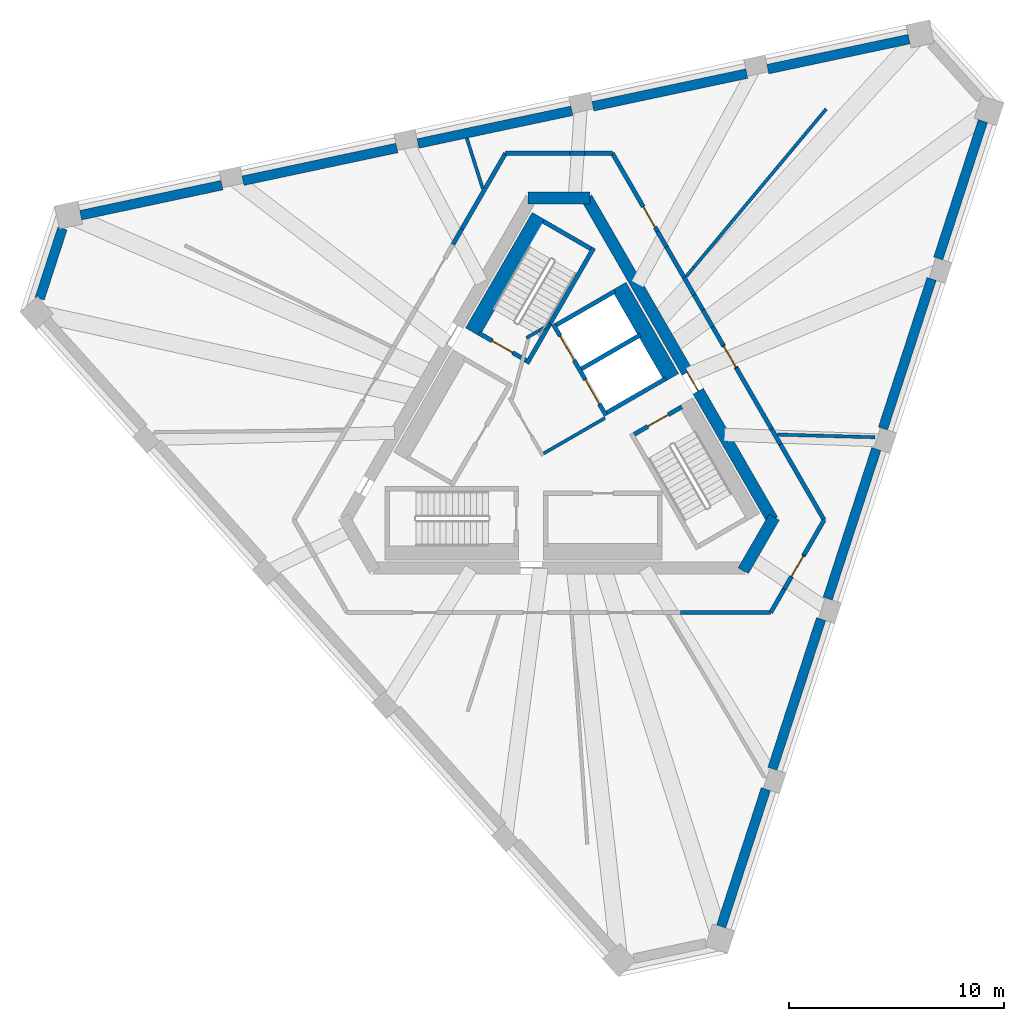
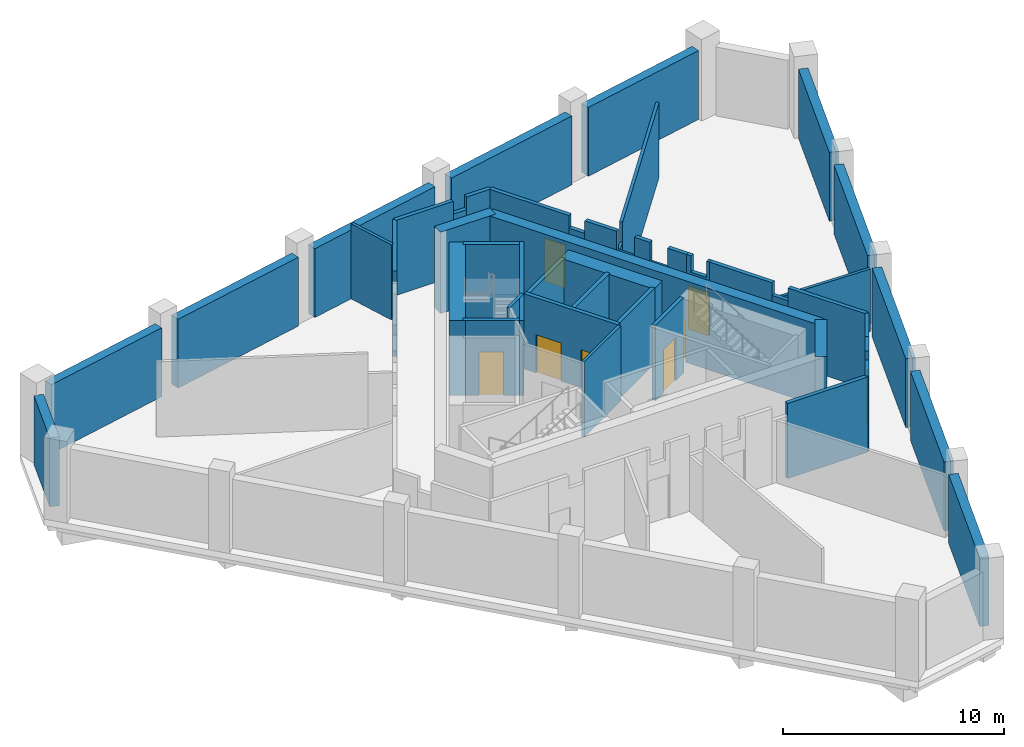
# One storey, part 3 of 5: 50 walls, 8 doors, 8 openings.
"""IFC4 building model written with IfcOpenShell, lengths in metres."""

from ifc_helpers import new_model, si_unit, direction, frame, frame_2d, origin, place, context, subcontext, project, spatial, polyline, rectangle, outline, extrude, material, layer, layer_set, type_object, element, fill, save


model = new_model("IFC4")

# Units and contexts
model_context = context("Model", 3, precision=1e-05, world=origin(), true_north=direction((0.0, 1.0)))
body_context = subcontext(model_context, "Body", "Model", "MODEL_VIEW")
ifc_project = project(units=[si_unit("LENGTHUNIT", "METRE"), si_unit("AREAUNIT", "SQUARE_METRE"), si_unit("VOLUMEUNIT", "CUBIC_METRE"), si_unit("PLANEANGLEUNIT", "RADIAN"), si_unit("MASSUNIT", "GRAM", prefix="KILO")], contexts=[model_context])

# Site, building, storey
site_placement = place(None, origin())
site = spatial("IfcSite", under=ifc_project, at=site_placement, CompositionType="ELEMENT")
building_placement = place(site_placement, origin())
building = spatial("IfcBuilding", under=site, at=building_placement, Name="Tramontana Tower", CompositionType="ELEMENT")
storey_placement = place(building_placement, frame((0.0, 0.0, 361.39990234375)))
storey = spatial("IfcBuildingStorey", under=building, at=storey_placement, Name="L83", CompositionType="ELEMENT", Elevation=361.39990234375)

# Walls
ifc_material_1 = material(Name="Concrete 70 MPa", Category="concrete")
ifc_layer_1 = layer(ifc_material_1, 0.550048828125)
ifc_layer_set_1 = layer_set([ifc_layer_1], Name="Core wall 550 70 MPa")
wall_type_1 = type_object("IfcWallType", Name="Core wall 550 70 MPa", PredefinedType="SHEAR", material=ifc_layer_set_1)
for number, where, z_axis, x_axis, name in (
    (1, (1.443359375, 10.72509765625, 0.0), (0.0, 0.0, 1.0), (-1.0, 0.0, 0.0), "Core wall C0 L83"),
    (2, (8.56640625, -6.612548828125, 0.0), (0.0, 0.0, 1.0), (0.499995765644, 0.866027848477, 0.0), "Core wall C4 L83"),
):
    element("IfcWall", number, at=place(storey_placement, frame(where, z_axis=z_axis, x_axis=x_axis)), inside=storey, type_object=wall_type_1, Name=name, PredefinedType="SHEAR", context=body_context, shape_type="SweptSolid", body=[
        extrude(rectangle(XDim=2.88671875, YDim=0.550048828125, at=frame_2d((1.443359375, 0.0))), origin(), (0.0, 0.0, 1.0), 4.5),
    ])

# Wall, opening, door
wall_1_placement = place(storey_placement, frame((9.930419921875, -4.25, 0.0), z_axis=(0.0, 0.0, 1.0), x_axis=(-0.499994590896, 0.86602852671, 0.0)))
wall_1 = element("IfcWall", 3, at=wall_1_placement, inside=storey, type_object=wall_type_1, Name="Core wall C5 L83", PredefinedType="SHEAR", context=body_context, shape_type="SweptSolid", body=[
    extrude(rectangle(XDim=17.291748046875, YDim=0.550048828125, at=frame_2d((8.64599609375, 0.0))), origin(), (0.0, 0.0, 1.0), 4.5),
])
opening_1_placement = place(wall_1_placement, frame((6.9208984375, 0.0, 0.0)))
opening_1 = element("IfcOpeningElement", 4, at=opening_1_placement, cuts=wall_1, Name="Opening RG3", PredefinedType="OPENING", context=body_context, shape_type="SweptSolid", body=[
    extrude(rectangle(XDim=1.0, YDim=2.39990234375, at=frame_2d((0.5, 1.199951171875))), frame((0.0, 0.284912109375, 0.0), z_axis=(0.0, -1.0, 0.0), x_axis=(1.0, 0.0, 0.0)), (0.0, 0.0, 1.0), 0.570068359375),
])
ifc_material_2 = material(Name="Painted steel", Category="steel")
door_type_1 = type_object("IfcDoorType", Name="RING DOOR 1000", OperationType="SINGLE_SWING_LEFT", PredefinedType="DOOR", material=ifc_material_2)
door_1_placement = place(opening_1_placement, origin())
door_1 = element("IfcDoor", 5, at=door_1_placement, inside=storey, type_object=door_type_1, Name="Door RG3", OperationType="SINGLE_SWING_RIGHT", OverallHeight=2.39990234375, OverallWidth=1.0, PredefinedType="DOOR", context=body_context, shape_type="SweptSolid", body=[
    extrude(rectangle(XDim=1.0, YDim=2.39990234375, at=frame_2d((0.5, 1.199951171875))), frame((0.0, 0.02490234375, 0.0), z_axis=(0.0, -1.0, 0.0), x_axis=(1.0, 0.0, 0.0)), (0.0, 0.0, 1.0), 0.050048828125),
])
fill(opening_1, door_1)

# Wall
ifc_material_3 = material(Name="Blockwork", Category="masonry")
ifc_layer_2 = layer(ifc_material_3, 0.199951171875)
ifc_layer_set_2 = layer_set([ifc_layer_2], Name="ENTRY WALL 200")
wall_type_2 = type_object("IfcWallType", Name="ENTRY WALL 200", PredefinedType="SOLIDWALL", material=ifc_layer_set_2)
wall_2_placement = place(storey_placement, frame((12.326416015625, -4.25, 0.0), z_axis=(0.0, 0.0, 1.0), x_axis=(-0.500044242988, -0.865999858577, 0.0)))
element("IfcWall", 6, at=wall_2_placement, inside=storey, type_object=wall_type_2, Name="Wall ew0-0", PredefinedType="SOLIDWALL", context=body_context, shape_type="SweptSolid", body=[
    extrude(rectangle(XDim=1.882568359375, YDim=0.199951171875, at=frame_2d((0.94140625, 0.0))), origin(), (0.0, 0.0, 1.0), 4.150146484375),
])

# Wall, opening, door
wall_3_placement = place(storey_placement, frame((11.385009765625, -5.88037109375, 0.0), z_axis=(0.0, 0.0, 1.0), x_axis=(-0.500016339278, -0.866015970092, 0.0)))
wall_3 = element("IfcWall", 7, at=wall_3_placement, inside=storey, type_object=wall_type_2, Name="Wall ew0-1", PredefinedType="SOLIDWALL", context=body_context, shape_type="SweptSolid", body=[
    extrude(outline(polyline([(0.0, 0.0), (1.82177734375, 0.0), (1.82177734375, 3.4501953125), (1.1201171875, 3.4501953125), (1.1201171875, 4.150146484375), (0.0, 4.150146484375), (0.0, 0.0)])), frame((0.0, 0.10009765625, 0.0), z_axis=(0.0, -1.0, 0.0), x_axis=(1.0, 0.0, 0.0)), (0.0, 0.0, 1.0), 0.199951171875),
])
opening_2_placement = place(wall_3_placement, frame((0.050048828125, 0.0, 0.0)))
opening_2 = element("IfcOpeningElement", 8, at=opening_2_placement, cuts=wall_3, Name="Opening L83-08", PredefinedType="OPENING", context=body_context, shape_type="SweptSolid", body=[
    extrude(rectangle(XDim=1.10009765625, YDim=2.39990234375, at=frame_2d((0.550048828125, 1.199951171875))), frame((0.0, 0.10986328125, 0.0), z_axis=(0.0, -1.0, 0.0), x_axis=(1.0, 0.0, 0.0)), (0.0, 0.0, 1.0), 0.219970703125),
])
ifc_material_4 = material(Name="Painted timber", Category="wood")
door_type_2 = type_object("IfcDoorType", Name="DOOR ENTRY 1100", OperationType="SINGLE_SWING_LEFT", PredefinedType="DOOR", material=ifc_material_4)
door_2_placement = place(opening_2_placement, origin())
door_2 = element("IfcDoor", 9, at=door_2_placement, inside=storey, type_object=door_type_2, Name="Door L83-08", OperationType="SINGLE_SWING_LEFT", OverallHeight=2.39990234375, OverallWidth=1.10009765625, PredefinedType="DOOR", context=body_context, shape_type="SweptSolid", body=[
    extrude(rectangle(XDim=1.10009765625, YDim=2.39990234375, at=frame_2d((0.550048828125, 1.199951171875))), frame((0.0, 0.02490234375, 0.0), z_axis=(0.0, -1.0, 0.0), x_axis=(1.0, 0.0, 0.0)), (0.0, 0.0, 1.0), 0.050048828125),
])
fill(opening_2, door_2)

# Walls
wall_4_placement = place(storey_placement, frame((10.47412109375, -7.4580078125, 0.0), z_axis=(0.0, 0.0, 1.0), x_axis=(-0.499929168788, -0.866066294342, 0.0)))
element("IfcWall", 10, at=wall_4_placement, inside=storey, type_object=wall_type_2, Name="Wall ew0-2", PredefinedType="SOLIDWALL", context=body_context, shape_type="SweptSolid", body=[
    extrude(rectangle(XDim=1.260986328125, YDim=0.199951171875, at=frame_2d((0.63037109375, 0.0))), origin(), (0.0, 0.0, 1.0), 4.150146484375),
])
wall_5_placement = place(storey_placement, frame((9.84375, -8.550048828125, 0.0), z_axis=(0.0, 0.0, 1.0), x_axis=(-1.0, 0.0, 0.0)))
element("IfcWall", 11, at=wall_5_placement, inside=storey, type_object=wall_type_2, Name="Wall ew1-0", PredefinedType="SOLIDWALL", context=body_context, shape_type="SweptSolid", body=[
    extrude(rectangle(XDim=4.1943359375, YDim=0.199951171875, at=frame_2d((2.09716796875, 0.0))), origin(), (0.0, 0.0, 1.0), 4.150146484375),
])
wall_6_placement = place(storey_placement, frame((-4.9287109375, 8.563232421875, 0.0), z_axis=(0.0, 0.0, 1.0), x_axis=(0.500046299512, 0.865998671098, 0.0)))
element("IfcWall", 12, at=wall_6_placement, inside=storey, type_object=wall_type_2, Name="Wall ew3-9", PredefinedType="SOLIDWALL", context=body_context, shape_type="SweptSolid", body=[
    extrude(rectangle(XDim=0.82666015625, YDim=0.199951171875, at=frame_2d((0.413330078125, 0.0))), origin(), (0.0, 0.0, 1.0), 3.4501953125),
])
wall_7_placement = place(storey_placement, frame((-4.515380859375, 9.279052734375, 0.0), z_axis=(0.0, 0.0, 1.0), x_axis=(0.499975428181, 0.866039589866, 0.0)))
element("IfcWall", 13, at=wall_7_placement, inside=storey, type_object=wall_type_2, Name="Wall ew3-10", PredefinedType="SOLIDWALL", context=body_context, shape_type="SweptSolid", body=[
    extrude(rectangle(XDim=4.065673828125, YDim=0.199951171875, at=frame_2d((2.03271484375, 0.0))), origin(), (0.0, 0.0, 1.0), 4.150146484375),
])
wall_8_placement = place(storey_placement, frame((-2.482666015625, 12.800048828125, 0.0), z_axis=(0.0, 0.0, 1.0), x_axis=(1.0, 0.0, 0.0)))
element("IfcWall", 14, at=wall_8_placement, inside=storey, type_object=wall_type_2, Name="Wall ew4-0", PredefinedType="SOLIDWALL", context=body_context, shape_type="SweptSolid", body=[
    extrude(rectangle(XDim=3.0029296875, YDim=0.199951171875, at=frame_2d((1.50146484375, 0.0))), origin(), (0.0, 0.0, 1.0), 4.150146484375),
])
wall_9_placement = place(storey_placement, frame((0.520263671875, 12.800048828125, 0.0), z_axis=(0.0, 0.0, 1.0), x_axis=(1.0, 0.0, 0.0)))
element("IfcWall", 15, at=wall_9_placement, inside=storey, type_object=wall_type_2, Name="Wall ew4-1", PredefinedType="SOLIDWALL", context=body_context, shape_type="SweptSolid", body=[
    extrude(rectangle(XDim=0.701416015625, YDim=0.199951171875, at=frame_2d((0.3505859375, 0.0))), origin(), (0.0, 0.0, 1.0), 3.4501953125),
])
wall_10_placement = place(storey_placement, frame((1.2216796875, 12.800048828125, 0.0), z_axis=(0.0, 0.0, 1.0), x_axis=(1.0, 0.0, 0.0)))
element("IfcWall", 16, at=wall_10_placement, inside=storey, type_object=wall_type_2, Name="Wall ew4-2", PredefinedType="SOLIDWALL", context=body_context, shape_type="SweptSolid", body=[
    extrude(rectangle(XDim=1.260986328125, YDim=0.199951171875, at=frame_2d((0.63037109375, 0.0))), origin(), (0.0, 0.0, 1.0), 4.150146484375),
])

# Wall, opening, door
wall_11_placement = place(storey_placement, frame((2.482666015625, 12.800048828125, 0.0), z_axis=(0.0, 0.0, 1.0), x_axis=(0.499982771656, -0.866035350345, 0.0)))
wall_11 = element("IfcWall", 17, at=wall_11_placement, inside=storey, type_object=wall_type_2, Name="Wall ew5-0", PredefinedType="SOLIDWALL", context=body_context, shape_type="SweptSolid", body=[
    extrude(rectangle(XDim=4.194580078125, YDim=0.199951171875, at=frame_2d((2.09716796875, 0.0))), origin(), (0.0, 0.0, 1.0), 4.150146484375),
])
opening_3_placement = place(wall_11_placement, frame((2.870361328125, 0.0, 0.0)))
opening_3 = element("IfcOpeningElement", 18, at=opening_3_placement, cuts=wall_11, Name="Opening L83-02", PredefinedType="OPENING", context=body_context, shape_type="SweptSolid", body=[
    extrude(rectangle(XDim=1.10009765625, YDim=2.39990234375, at=frame_2d((0.550048828125, 1.199951171875))), frame((0.0, 0.10986328125, 0.0), z_axis=(0.0, -1.0, 0.0), x_axis=(1.0, 0.0, 0.0)), (0.0, 0.0, 1.0), 0.219970703125),
])
door_3_placement = place(opening_3_placement, origin())
door_3 = element("IfcDoor", 19, at=door_3_placement, inside=storey, type_object=door_type_2, Name="Door L83-02", OperationType="SINGLE_SWING_LEFT", OverallHeight=2.39990234375, OverallWidth=1.10009765625, PredefinedType="DOOR", context=body_context, shape_type="SweptSolid", body=[
    extrude(rectangle(XDim=1.10009765625, YDim=2.39990234375, at=frame_2d((0.550048828125, 1.199951171875))), frame((0.0, 0.02490234375, 0.0), z_axis=(0.0, -1.0, 0.0), x_axis=(1.0, 0.0, 0.0)), (0.0, 0.0, 1.0), 0.050048828125),
])
fill(opening_3, door_3)

# Walls
wall_12_placement = place(storey_placement, frame((4.579833984375, 9.16748046875, 0.0), z_axis=(0.0, 0.0, 1.0), x_axis=(0.499945576647, -0.866056822842, 0.0)))
element("IfcWall", 20, at=wall_12_placement, inside=storey, type_object=wall_type_2, Name="Wall ew5-1", PredefinedType="SOLIDWALL", context=body_context, shape_type="SweptSolid", body=[
    extrude(rectangle(XDim=0.82080078125, YDim=0.199951171875, at=frame_2d((0.410400390625, 0.0))), origin(), (0.0, 0.0, 1.0), 3.4501953125),
])
wall_13_placement = place(storey_placement, frame((4.990234375, 8.45654296875, 0.0), z_axis=(0.0, 0.0, 1.0), x_axis=(0.500024536802, -0.866011236992, 0.0)))
element("IfcWall", 21, at=wall_13_placement, inside=storey, type_object=wall_type_2, Name="Wall ew5-2", PredefinedType="SOLIDWALL", context=body_context, shape_type="SweptSolid", body=[
    extrude(rectangle(XDim=1.65576171875, YDim=0.199951171875, at=frame_2d((0.827880859375, 0.0))), origin(), (0.0, 0.0, 1.0), 4.150146484375),
])
wall_14_placement = place(storey_placement, frame((5.818115234375, 7.022705078125, 0.0), z_axis=(0.0, 0.0, 1.0), x_axis=(0.500006071987, -0.866021898093, 0.0)))
element("IfcWall", 22, at=wall_14_placement, inside=storey, type_object=wall_type_2, Name="Wall ew5-3", PredefinedType="SOLIDWALL", context=body_context, shape_type="SweptSolid", body=[
    extrude(rectangle(XDim=0.94384765625, YDim=0.199951171875, at=frame_2d((0.471923828125, 0.0))), origin(), (0.0, 0.0, 1.0), 3.050048828125),
])
wall_15_placement = place(storey_placement, frame((6.2900390625, 6.205322265625, 0.0), z_axis=(0.0, 0.0, 1.0), x_axis=(0.500045602705, -0.86599907345, 0.0)))
element("IfcWall", 23, at=wall_15_placement, inside=storey, type_object=wall_type_2, Name="Wall ew5-4", PredefinedType="SOLIDWALL", context=body_context, shape_type="SweptSolid", body=[
    extrude(rectangle(XDim=0.806640625, YDim=0.199951171875, at=frame_2d((0.4033203125, 0.0))), origin(), (0.0, 0.0, 1.0), 4.150146484375),
])
wall_16_placement = place(storey_placement, frame((6.693359375, 5.5068359375, 0.0), z_axis=(0.0, 0.0, 1.0), x_axis=(0.499994660107, -0.866028486751, 0.0)))
element("IfcWall", 24, at=wall_16_placement, inside=storey, type_object=wall_type_2, Name="Wall ew5-5", PredefinedType="SOLIDWALL", context=body_context, shape_type="SweptSolid", body=[
    extrude(rectangle(XDim=0.90576171875, YDim=0.199951171875, at=frame_2d((0.452880859375, 0.0))), origin(), (0.0, 0.0, 1.0), 3.050048828125),
])
wall_17_placement = place(storey_placement, frame((7.146240234375, 4.722412109375, 0.0), z_axis=(0.0, 0.0, 1.0), x_axis=(0.500056181943, -0.865992964694, 0.0)))
element("IfcWall", 25, at=wall_17_placement, inside=storey, type_object=wall_type_2, Name="Wall ew5-6", PredefinedType="SOLIDWALL", context=body_context, shape_type="SweptSolid", body=[
    extrude(rectangle(XDim=0.9921875, YDim=0.199951171875, at=frame_2d((0.49609375, 0.0))), origin(), (0.0, 0.0, 1.0), 4.150146484375),
])

# Wall, opening, door
wall_18_placement = place(storey_placement, frame((7.642333984375, 3.86328125, 0.0), z_axis=(0.0, 0.0, 1.0), x_axis=(0.499880961361, -0.866094119867, 0.0)))
wall_18 = element("IfcWall", 26, at=wall_18_placement, inside=storey, type_object=wall_type_2, Name="Wall ew5-7", PredefinedType="SOLIDWALL", context=body_context, shape_type="SweptSolid", body=[
    extrude(outline(polyline([(0.0, 0.0), (1.199951171875, 0.0), (1.199951171875, 4.150146484375), (1.05322265625, 4.150146484375), (1.05322265625, 3.25), (0.246337890625, 3.25), (0.246337890625, 4.150146484375), (0.0, 4.150146484375), (0.0, 0.0)])), frame((0.0, 0.10009765625, 0.0), z_axis=(0.0, -1.0, 0.0), x_axis=(1.0, 0.0, 0.0)), (0.0, 0.0, 1.0), 0.199951171875),
])
opening_4_placement = place(wall_18_placement, frame((0.050048828125, 0.0, 0.0)))
opening_4 = element("IfcOpeningElement", 27, at=opening_4_placement, cuts=wall_18, Name="Opening L83-01", PredefinedType="OPENING", context=body_context, shape_type="SweptSolid", body=[
    extrude(rectangle(XDim=1.10009765625, YDim=2.39990234375, at=frame_2d((0.550048828125, 1.199951171875))), frame((0.0, 0.10986328125, 0.0), z_axis=(0.0, -1.0, 0.0), x_axis=(1.0, 0.0, 0.0)), (0.0, 0.0, 1.0), 0.219970703125),
])
door_4_placement = place(opening_4_placement, origin())
door_4 = element("IfcDoor", 28, at=door_4_placement, inside=storey, type_object=door_type_2, Name="Door L83-01", OperationType="SINGLE_SWING_RIGHT", OverallHeight=2.39990234375, OverallWidth=1.10009765625, PredefinedType="DOOR", context=body_context, shape_type="SweptSolid", body=[
    extrude(rectangle(XDim=1.10009765625, YDim=2.39990234375, at=frame_2d((0.550048828125, 1.199951171875))), frame((0.0, 0.02490234375, 0.0), z_axis=(0.0, -1.0, 0.0), x_axis=(1.0, 0.0, 0.0)), (0.0, 0.0, 1.0), 0.050048828125),
])
fill(opening_4, door_4)

# Walls
wall_19_placement = place(storey_placement, frame((8.2421875, 2.823974609375, 0.0), z_axis=(0.0, 0.0, 1.0), x_axis=(0.500001965626, -0.866024268927, 0.0)))
element("IfcWall", 29, at=wall_19_placement, inside=storey, type_object=wall_type_2, Name="Wall ew5-8", PredefinedType="SOLIDWALL", context=body_context, shape_type="SweptSolid", body=[
    extrude(rectangle(XDim=3.2763671875, YDim=0.199951171875, at=frame_2d((1.63818359375, 0.0))), origin(), (0.0, 0.0, 1.0), 4.150146484375),
])
wall_20_placement = place(storey_placement, frame((9.88037109375, -0.013427734375, 0.0), z_axis=(0.0, 0.0, 1.0), x_axis=(0.499952654668, -0.866052736899, 0.0)))
element("IfcWall", 30, at=wall_20_placement, inside=storey, type_object=wall_type_2, Name="Wall ew5-9", PredefinedType="SOLIDWALL", context=body_context, shape_type="SweptSolid", body=[
    extrude(rectangle(XDim=0.826171875, YDim=0.199951171875, at=frame_2d((0.4130859375, 0.0))), origin(), (0.0, 0.0, 1.0), 3.4501953125),
])
wall_21_placement = place(storey_placement, frame((10.29345703125, -0.72900390625, 0.0), z_axis=(0.0, 0.0, 1.0), x_axis=(0.50002046505, -0.86601358796, 0.0)))
element("IfcWall", 31, at=wall_21_placement, inside=storey, type_object=wall_type_2, Name="Wall ew5-10", PredefinedType="SOLIDWALL", context=body_context, shape_type="SweptSolid", body=[
    extrude(rectangle(XDim=4.065673828125, YDim=0.199951171875, at=frame_2d((2.03271484375, 0.0))), origin(), (0.0, 0.0, 1.0), 4.150146484375),
])
ifc_material_5 = material(Name="Precast concrete 60 MPa", Category="concrete")
ifc_layer_3 = layer(ifc_material_5, 0.449951171875)
ifc_layer_set_3 = layer_set([ifc_layer_3], Name="Precast concrete 60 MPa, 450 mm")
wall_type_3 = type_object("IfcWallType", Name="EW1 Stone-faced precast wall 450", PredefinedType="SOLIDWALL", material=ifc_layer_set_3)
wall_22_placement = place(storey_placement, frame((-23.0791015625, 9.304931640625, 0.0), z_axis=(0.0, 0.0, 1.0), x_axis=(-0.309076430482, -0.95103720228, 0.0)))
element("IfcWall", 32, at=wall_22_placement, inside=storey, type_object=wall_type_3, Name="Stone band wall L83 face 0k 1", PredefinedType="SOLIDWALL", context=body_context, shape_type="SweptSolid", body=[
    extrude(rectangle(XDim=3.435302734375, YDim=0.449951171875, at=frame_2d((1.7177734375, 0.0))), origin(), (0.0, 0.0, 1.0), 3.800048828125),
])
wall_23_placement = place(storey_placement, frame((7.541015625, -23.14794921875, 0.0), z_axis=(0.0, 0.0, 1.0), x_axis=(0.309018647645, 0.951055979114, 0.0)))
element("IfcWall", 33, at=wall_23_placement, inside=storey, type_object=wall_type_3, Name="Stone band wall L83 face 1s 1", PredefinedType="SOLIDWALL", context=body_context, shape_type="SweptSolid", body=[
    extrude(rectangle(XDim=6.7138671875, YDim=0.449951171875, at=frame_2d((3.35693359375, 0.0))), origin(), (0.0, 0.0, 1.0), 3.800048828125),
])
for number, where, z_axis, x_axis, name in (
    (34, (9.9248046875, -15.8115234375, 0.0), (0.0, 0.0, 1.0), (0.309008326872, 0.951059332494, 0.0), "Stone band wall L83 face 1s 2"),
    (35, (12.493896484375, -7.904541015625, 0.0), (0.0, 0.0, 1.0), (0.309008326872, 0.951059332494, 0.0), "Stone band wall L83 face 1s 3"),
    (36, (15.06298828125, 0.00244140625, 0.0), (0.0, 0.0, 1.0), (0.309008326872, 0.951059332494, 0.0), "Stone band wall L83 face 1s 4"),
):
    element("IfcWall", number, at=place(storey_placement, frame(where, z_axis=z_axis, x_axis=x_axis)), inside=storey, type_object=wall_type_3, Name=name, PredefinedType="SOLIDWALL", context=body_context, shape_type="SweptSolid", body=[
        extrude(rectangle(XDim=7.313720703125, YDim=0.449951171875, at=frame_2d((3.65673828125, 0.0))), origin(), (0.0, 0.0, 1.0), 3.800048828125),
    ])
for number, where, z_axis, x_axis, name in (
    (37, (17.632080078125, 7.9091796875, 0.0), (0.0, 0.0, 1.0), (0.309018647645, 0.951055979114, 0.0), "Stone band wall L83 face 1s 5"),
    (38, (-15.665771484375, 11.315185546875, 0.0), (0.0, 0.0, 1.0), (-0.978144338977, -0.207927035587, 0.0), "Stone band wall L83 face 2s 1"),
):
    element("IfcWall", number, at=place(storey_placement, frame(where, z_axis=z_axis, x_axis=x_axis)), inside=storey, type_object=wall_type_3, Name=name, PredefinedType="SOLIDWALL", context=body_context, shape_type="SweptSolid", body=[
        extrude(rectangle(XDim=6.7138671875, YDim=0.449951171875, at=frame_2d((3.35693359375, 0.0))), origin(), (0.0, 0.0, 1.0), 3.800048828125),
    ])
for number, where, z_axis, x_axis, name in (
    (39, (-7.533447265625, 13.043701171875, 0.0), (0.0, 0.0, 1.0), (-0.978151299843, -0.207894287118, 0.0), "Stone band wall L83 face 2s 2"),
    (40, (0.5986328125, 14.772216796875, 0.0), (0.0, 0.0, 1.0), (-0.978151299843, -0.207894287118, 0.0), "Stone band wall L83 face 2s 3"),
    (41, (8.73095703125, 16.500732421875, 0.0), (0.0, 0.0, 1.0), (-0.978151299843, -0.207894287118, 0.0), "Stone band wall L83 face 2s 4"),
):
    element("IfcWall", number, at=place(storey_placement, frame(where, z_axis=z_axis, x_axis=x_axis)), inside=storey, type_object=wall_type_3, Name=name, PredefinedType="SOLIDWALL", context=body_context, shape_type="SweptSolid", body=[
        extrude(rectangle(XDim=7.31396484375, YDim=0.449951171875, at=frame_2d((3.656982421875, 0.0))), origin(), (0.0, 0.0, 1.0), 3.800048828125),
    ])
wall_24_placement = place(storey_placement, frame((16.276123046875, 18.104736328125, 0.0), z_axis=(0.0, 0.0, 1.0), x_axis=(-0.978144338977, -0.207927035587, 0.0)))
element("IfcWall", 42, at=wall_24_placement, inside=storey, type_object=wall_type_3, Name="Stone band wall L83 face 2s 5", PredefinedType="SOLIDWALL", context=body_context, shape_type="SweptSolid", body=[
    extrude(rectangle(XDim=6.7138671875, YDim=0.449951171875, at=frame_2d((3.35693359375, 0.0))), origin(), (0.0, 0.0, 1.0), 3.800048828125),
])
ifc_material_6 = material(Name="Gypsum board partition")
ifc_layer_4 = layer(ifc_material_6, 0.14990234375)
ifc_layer_set_4 = layer_set([ifc_layer_4], Name="PARTITION 150")
wall_type_4 = type_object("IfcWallType", Name="PARTITION 150", PredefinedType="PARTITIONING", material=ifc_layer_set_4)
wall_25_placement = place(storey_placement, frame((-0.716796875, -1.15869140625, 0.0), z_axis=(0.0, 0.0, 1.0), x_axis=(0.866008176907, 0.50002983664, 0.0)))
element("IfcWall", 43, at=wall_25_placement, inside=storey, type_object=wall_type_4, Name="Wall ff-end0", PredefinedType="PARTITIONING", context=body_context, shape_type="SweptSolid", body=[
    extrude(rectangle(XDim=3.300048828125, YDim=0.14990234375, at=frame_2d((1.64990234375, 0.0))), origin(), (0.0, 0.0, 1.0), 4.150146484375),
])
wall_26_placement = place(storey_placement, frame((-1.509765625, 4.21484375, 0.0), z_axis=(0.0, 0.0, 1.0), x_axis=(0.866085525409, 0.49989585183, 0.0)))
element("IfcWall", 44, at=wall_26_placement, inside=storey, type_object=wall_type_4, Name="Wall ff-end1", PredefinedType="PARTITIONING", context=body_context, shape_type="SweptSolid", body=[
    extrude(rectangle(XDim=1.300048828125, YDim=0.14990234375, at=frame_2d((0.64990234375, 0.0))), origin(), (0.0, 0.0, 1.0), 4.150146484375),
])
wall_27_placement = place(storey_placement, frame((-3.543701171875, 11.162353515625, 0.0), z_axis=(0.0, 0.0, 1.0), x_axis=(-0.302539003628, 0.953137005516, 0.0)))
element("IfcWall", 45, at=wall_27_placement, inside=storey, type_object=wall_type_4, Name="Wall fw-pw03", PredefinedType="PARTITIONING", context=body_context, shape_type="SweptSolid", body=[
    extrude(rectangle(XDim=2.45654296875, YDim=0.14990234375, at=frame_2d((1.228271484375, 0.0))), origin(), (0.0, 0.0, 1.0), 4.150146484375),
])
wall_28_placement = place(storey_placement, frame((5.90869140625, 7.06591796875, 0.0), z_axis=(0.0, 0.0, 1.0), x_axis=(0.641462458468, 0.767154426681, 0.0)))
element("IfcWall", 46, at=wall_28_placement, inside=storey, type_object=wall_type_4, Name="Wall fw-pw07-0", PredefinedType="PARTITIONING", context=body_context, shape_type="SweptSolid", body=[
    extrude(rectangle(XDim=0.563232421875, YDim=0.14990234375, at=frame_2d((0.28173828125, 0.0))), origin(), (0.0, 0.0, 1.0), 3.050048828125),
])
wall_29_placement = place(storey_placement, frame((6.27001953125, 7.498046875, 0.0), z_axis=(0.0, 0.0, 1.0), x_axis=(0.641480057803, 0.76713971051, 0.0)))
element("IfcWall", 47, at=wall_29_placement, inside=storey, type_object=wall_type_4, Name="Wall fw-pw07-1", PredefinedType="PARTITIONING", context=body_context, shape_type="SweptSolid", body=[
    extrude(rectangle(XDim=9.593994140625, YDim=0.14990234375, at=frame_2d((4.796875, 0.0))), origin(), (0.0, 0.0, 1.0), 4.150146484375),
])
wall_30_placement = place(storey_placement, frame((14.6943359375, -0.403564453125, 0.0), z_axis=(0.0, 0.0, 1.0), x_axis=(-0.999623515505, 0.027437697611, 0.0)))
element("IfcWall", 48, at=wall_30_placement, inside=storey, type_object=wall_type_4, Name="Wall fw-pw09-0", PredefinedType="PARTITIONING", context=body_context, shape_type="SweptSolid", body=[
    extrude(rectangle(XDim=4.546875, YDim=0.14990234375, at=frame_2d((2.2734375, 0.0))), origin(), (0.0, 0.0, 1.0), 3.4501953125),
])
ifc_material_7 = material(Name="Concrete 70 MPa", Category="concrete")
ifc_layer_5 = layer(ifc_material_7, 0.75)
ifc_layer_set_5 = layer_set([ifc_layer_5], Name="Concrete 70 MPa, 750 mm")
wall_type_5 = type_object("IfcWallType", Name="RC SHAFT BACK WALL 750", PredefinedType="SOLIDWALL", material=ifc_layer_set_5)
wall_31_placement = place(storey_placement, frame((-0.91796875, 9.85986328125, 0.0), z_axis=(0.0, 0.0, 1.0), x_axis=(-0.500026960575, -0.86600983753, 0.0)))
element("IfcWall", 49, at=wall_31_placement, inside=storey, type_object=wall_type_5, Name="Wall st1-back", PredefinedType="SOLIDWALL", context=body_context, shape_type="SweptSolid", body=[
    extrude(rectangle(XDim=6.199951171875, YDim=0.75, at=frame_2d((3.10009765625, 0.0))), origin(), (0.0, 0.0, 1.0), 4.150146484375),
])
wall_32_placement = place(storey_placement, frame((5.242919921875, 2.368896484375, 0.0), z_axis=(0.0, 0.0, 1.0), x_axis=(-0.500002801628, 0.866023786258, 0.0)))
element("IfcWall", 50, at=wall_32_placement, inside=storey, type_object=wall_type_5, Name="Wall row2-back", PredefinedType="SOLIDWALL", context=body_context, shape_type="SweptSolid", body=[
    extrude(rectangle(XDim=4.89990234375, YDim=0.75, at=frame_2d((2.449951171875, 0.0))), origin(), (0.0, 0.0, 1.0), 4.150146484375),
])
ifc_material_8 = material(Name="Concrete 70 MPa", Category="concrete")
ifc_layer_6 = layer(ifc_material_8, 0.199951171875)
ifc_layer_set_6 = layer_set([ifc_layer_6], Name="Concrete 70 MPa, 200 mm")
wall_type_6 = type_object("IfcWallType", Name="RC STAIR AND SHAFT WALL 200", PredefinedType="SOLIDWALL", material=ifc_layer_set_6)
wall_33_placement = place(storey_placement, frame((1.615234375, 8.3974609375, 0.0), z_axis=(0.0, 0.0, 1.0), x_axis=(-0.500009909098, -0.866019682689, 0.0)))
element("IfcWall", 51, at=wall_33_placement, inside=storey, type_object=wall_type_6, Name="Wall st1-front", PredefinedType="SOLIDWALL", context=body_context, shape_type="SweptSolid", body=[
    extrude(rectangle(XDim=6.199951171875, YDim=0.199951171875, at=frame_2d((3.10009765625, 0.0))), origin(), (0.0, 0.0, 1.0), 4.150146484375),
])
wall_34_placement = place(storey_placement, frame((1.478515625, 8.36083984375, 0.0), z_axis=(0.0, 0.0, 1.0), x_axis=(-0.865989465428, 0.500062241894, 0.0)))
element("IfcWall", 52, at=wall_34_placement, inside=storey, type_object=wall_type_6, Name="Wall st1-far", PredefinedType="SOLIDWALL", context=body_context, shape_type="SweptSolid", body=[
    extrude(rectangle(XDim=2.550048828125, YDim=0.199951171875, at=frame_2d((1.27490234375, 0.0))), origin(), (0.0, 0.0, 1.0), 4.150146484375),
])

# Wall, opening, door
wall_35_placement = place(storey_placement, frame((-1.521484375, 3.164794921875, 0.0), z_axis=(0.0, 0.0, 1.0), x_axis=(-0.866030925526, 0.499990435942, 0.0)))
wall_35 = element("IfcWall", 53, at=wall_35_placement, inside=storey, type_object=wall_type_6, Name="Wall st1-near", PredefinedType="SOLIDWALL", context=body_context, shape_type="SweptSolid", body=[
    extrude(rectangle(XDim=2.5498046875, YDim=0.199951171875, at=frame_2d((1.27490234375, 0.0))), origin(), (0.0, 0.0, 1.0), 4.150146484375),
])
opening_5_placement = place(wall_35_placement, frame((0.72509765625, 0.0, 0.0)))
opening_5 = element("IfcOpeningElement", 54, at=opening_5_placement, cuts=wall_35, Name="Opening SD1", PredefinedType="OPENING", context=body_context, shape_type="SweptSolid", body=[
    extrude(rectangle(XDim=1.10009765625, YDim=2.39990234375, at=frame_2d((0.550048828125, 1.199951171875))), frame((0.0, 0.10986328125, 0.0), z_axis=(0.0, -1.0, 0.0), x_axis=(1.0, 0.0, 0.0)), (0.0, 0.0, 1.0), 0.219970703125),
])
ifc_material_9 = material(Name="Painted steel", Category="steel")
door_type_3 = type_object("IfcDoorType", Name="STAIR DOOR 1100", OperationType="SINGLE_SWING_LEFT", PredefinedType="DOOR", material=ifc_material_9)
door_5_placement = place(opening_5_placement, origin())
door_5 = element("IfcDoor", 55, at=door_5_placement, inside=storey, type_object=door_type_3, Name="Door SD1", OperationType="SINGLE_SWING_RIGHT", OverallHeight=2.39990234375, OverallWidth=1.10009765625, PredefinedType="DOOR", context=body_context, shape_type="SweptSolid", body=[
    extrude(rectangle(XDim=1.10009765625, YDim=2.39990234375, at=frame_2d((0.550048828125, 1.199951171875))), frame((0.0, 0.02490234375, 0.0), z_axis=(0.0, -1.0, 0.0), x_axis=(1.0, 0.0, 0.0)), (0.0, 0.0, 1.0), 0.050048828125),
])
fill(opening_5, door_5)

wall_36_placement = place(storey_placement, frame((3.50146484375, -0.2646484375, 0.0), z_axis=(0.0, 0.0, 1.0), x_axis=(0.866030925526, 0.499990435942, 0.0)))
wall_36 = element("IfcWall", 56, at=wall_36_placement, inside=storey, type_object=wall_type_6, Name="Wall st3-near", PredefinedType="SOLIDWALL", context=body_context, shape_type="SweptSolid", body=[
    extrude(rectangle(XDim=2.5498046875, YDim=0.199951171875, at=frame_2d((1.27490234375, 0.0))), origin(), (0.0, 0.0, 1.0), 4.150146484375),
])
opening_6_placement = place(wall_36_placement, frame((0.72509765625, 0.0, 0.0)))
opening_6 = element("IfcOpeningElement", 57, at=opening_6_placement, cuts=wall_36, Name="Opening SD3", PredefinedType="OPENING", context=body_context, shape_type="SweptSolid", body=[
    extrude(rectangle(XDim=1.10009765625, YDim=2.39990234375, at=frame_2d((0.550048828125, 1.199951171875))), frame((0.0, 0.10986328125, 0.0), z_axis=(0.0, -1.0, 0.0), x_axis=(1.0, 0.0, 0.0)), (0.0, 0.0, 1.0), 0.219970703125),
])
door_6_placement = place(opening_6_placement, origin())
door_6 = element("IfcDoor", 58, at=door_6_placement, inside=storey, type_object=door_type_3, Name="Door SD3", OperationType="SINGLE_SWING_RIGHT", OverallHeight=2.39990234375, OverallWidth=1.10009765625, PredefinedType="DOOR", context=body_context, shape_type="SweptSolid", body=[
    extrude(rectangle(XDim=1.10009765625, YDim=2.39990234375, at=frame_2d((0.550048828125, 1.199951171875))), frame((0.0, 0.02490234375, 0.0), z_axis=(0.0, -1.0, 0.0), x_axis=(1.0, 0.0, 0.0)), (0.0, 0.0, 1.0), 0.050048828125),
])
fill(opening_6, door_6)

# Wall, openings, doors
wall_37_placement = place(storey_placement, frame((2.190185546875, 0.6064453125, 0.0), z_axis=(0.0, 0.0, 1.0), x_axis=(-0.500002801628, 0.866023786258, 0.0)))
wall_37 = element("IfcWall", 59, at=wall_37_placement, inside=storey, type_object=wall_type_6, Name="Wall row2-front", PredefinedType="SOLIDWALL", context=body_context, shape_type="SweptSolid", body=[
    extrude(rectangle(XDim=4.89990234375, YDim=0.199951171875, at=frame_2d((2.449951171875, 0.0))), origin(), (0.0, 0.0, 1.0), 4.150146484375),
])
opening_7_placement = place(wall_37_placement, frame((0.625, 0.0, 0.0)))
opening_7 = element("IfcOpeningElement", 60, at=opening_7_placement, cuts=wall_37, Name="Opening LD-F1", PredefinedType="OPENING", context=body_context, shape_type="SweptSolid", body=[
    extrude(rectangle(XDim=1.300048828125, YDim=2.10009765625, at=frame_2d((0.64990234375, 1.050048828125))), frame((0.0, 0.10986328125, 0.0), z_axis=(0.0, -1.0, 0.0), x_axis=(1.0, 0.0, 0.0)), (0.0, 0.0, 1.0), 0.219970703125),
])
opening_8_placement = place(wall_37_placement, frame((2.97509765625, 0.0, 0.0)))
opening_8 = element("IfcOpeningElement", 61, at=opening_8_placement, cuts=wall_37, Name="Opening LD-F2", PredefinedType="OPENING", context=body_context, shape_type="SweptSolid", body=[
    extrude(rectangle(XDim=1.300048828125, YDim=2.10009765625, at=frame_2d((0.64990234375, 1.050048828125))), frame((0.0, 0.10986328125, 0.0), z_axis=(0.0, -1.0, 0.0), x_axis=(1.0, 0.0, 0.0)), (0.0, 0.0, 1.0), 0.219970703125),
])
ifc_material_10 = material(Name="Brushed steel", Category="steel")
door_type_4 = type_object("IfcDoorType", Name="LANDING DOOR 1300", OperationType="SINGLE_SWING_LEFT", PredefinedType="DOOR", material=ifc_material_10)
door_7_placement = place(opening_7_placement, origin())
door_7 = element("IfcDoor", 62, at=door_7_placement, inside=storey, type_object=door_type_4, Name="Door LD-F1", OperationType="SLIDING_TO_LEFT", OverallHeight=2.10009765625, OverallWidth=1.300048828125, PredefinedType="DOOR", context=body_context, shape_type="SweptSolid", body=[
    extrude(rectangle(XDim=1.300048828125, YDim=2.10009765625, at=frame_2d((0.64990234375, 1.050048828125))), frame((0.0, 0.02490234375, 0.0), z_axis=(0.0, -1.0, 0.0), x_axis=(1.0, 0.0, 0.0)), (0.0, 0.0, 1.0), 0.050048828125),
])
fill(opening_7, door_7)
door_8_placement = place(opening_8_placement, origin())
door_8 = element("IfcDoor", 63, at=door_8_placement, inside=storey, type_object=door_type_4, Name="Door LD-F2", OperationType="SLIDING_TO_RIGHT", OverallHeight=2.10009765625, OverallWidth=1.300048828125, PredefinedType="DOOR", context=body_context, shape_type="SweptSolid", body=[
    extrude(rectangle(XDim=1.300048828125, YDim=2.10009765625, at=frame_2d((0.64990234375, 1.050048828125))), frame((0.0, 0.02490234375, 0.0), z_axis=(0.0, -1.0, 0.0), x_axis=(1.0, 0.0, 0.0)), (0.0, 0.0, 1.0), 0.050048828125),
])
fill(opening_8, door_8)

# Walls
for number, where, z_axis, x_axis, name in (
    (64, (2.226806640625, 0.742919921875, 0.0), (0.0, 0.0, 1.0), (0.866035871367, 0.499981869177, 0.0), "Wall row2-side0"),
    (65, (1.0517578125, 2.778076171875, 0.0), (0.0, 0.0, 1.0), (0.866035871367, 0.499981869177, 0.0), "Wall row2-side1"),
    (66, (-0.123046875, 4.813232421875, 0.0), (0.0, 0.0, 1.0), (0.866016494683, 0.500015430699, 0.0), "Wall row2-side2"),
):
    element("IfcWall", number, at=place(storey_placement, frame(where, z_axis=z_axis, x_axis=x_axis)), inside=storey, type_object=wall_type_6, Name=name, PredefinedType="SOLIDWALL", context=body_context, shape_type="SweptSolid", body=[
        extrude(rectangle(XDim=3.14990234375, YDim=0.199951171875, at=frame_2d((1.574951171875, 0.0))), origin(), (0.0, 0.0, 1.0), 4.150146484375),
    ])

save(model, "model.ifc")
